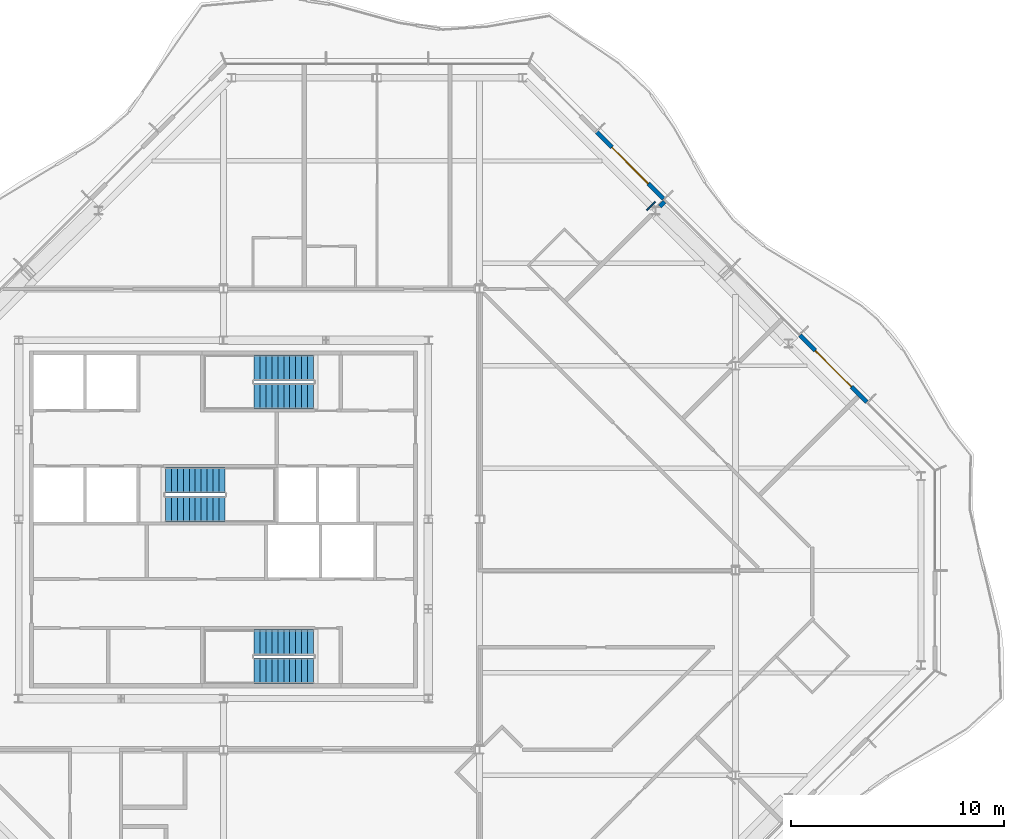
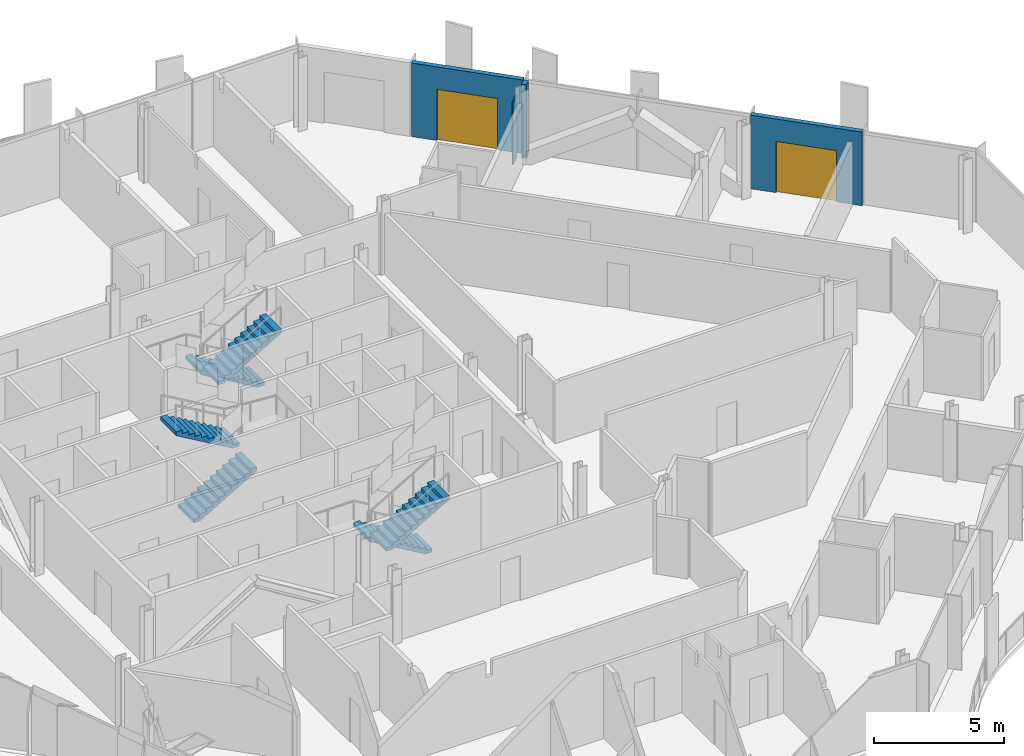
# One storey, part 12 of 17: 6 stair flights, 4 walls, 2 doors, 2 openings, 3 elements without a shape of their own.
"""IFC4 building model written with IfcOpenShell, lengths in metres."""

import ifcopenshell
import ifcopenshell.guid

model = None  # the IFC model being written
_history = None  # IfcOwnerHistory: only IFC2X3 demands one
_inside = {}  # id of a spatial element -> (the spatial element, [elements in it])
_under = {}  # id of a project, library or spatial element -> (it, [spatial elements below it])
_declared = {}  # id of a project -> (the project, [libraries it declares])
_typed = {}  # id of a type object -> (the type object, [elements of that type])
_made_of = {}  # id of a material, layer set ... -> (it, [elements and type objects made of it])


def new_model(schema):
    """Start an empty IFC model of exactly this schema.

    Asked for "IFC4X3", IfcOpenShell would pick the latest addendum, in which some entities
    have other attributes; the version numbers below select the first issue.
    IFC2X3 requires an IfcOwnerHistory on every rooted entity: one is made here for all.
    """
    global model, _history
    if schema == "IFC4X3":
        model = ifcopenshell.file(schema_version=(4, 3, 0, 0))
    else:
        model = ifcopenshell.file(schema=schema)
    _inside.clear()
    _under.clear()
    _declared.clear()
    _typed.clear()
    _made_of.clear()
    _history = None
    if model.schema == "IFC2X3":
        org = make("IfcOrganization", Name="unknown")
        user = make(
            "IfcPersonAndOrganization",
            ThePerson=make("IfcPerson", FamilyName="unknown"),
            TheOrganization=org,
        )
        app = make(
            "IfcApplication",
            ApplicationDeveloper=org,
            Version="unknown",
            ApplicationFullName="unknown",
            ApplicationIdentifier="unknown",
        )
        _history = make(
            "IfcOwnerHistory",
            OwningUser=user,
            OwningApplication=app,
            ChangeAction="ADDED",
            CreationDate=0,
        )
    return model


def make(cls, **values):
    """One entity of the class cls with the attributes given. An attribute that is None is left unset."""
    return model.create_entity(
        cls, **{name: value for name, value in values.items() if value is not None}
    )


def rooted(cls, **values):
    """An entity with a GlobalId (a new one), such as an element, a storey or a relation."""
    return make(cls, GlobalId=ifcopenshell.guid.new(), OwnerHistory=_history, **values)


def si_unit(unit_type, name, prefix=None):
    """IfcSIUnit, for example si_unit("LENGTHUNIT", "METRE", prefix="MILLI")."""
    return make("IfcSIUnit", UnitType=unit_type, Prefix=prefix, Name=name)


def assignment(units):
    """IfcUnitAssignment: the units of a project."""
    return None if units is None else make("IfcUnitAssignment", Units=units)


def point(xyz):
    """IfcCartesianPoint."""
    return None if xyz is None else make("IfcCartesianPoint", Coordinates=xyz)


def direction(xyz):
    """IfcDirection."""
    return None if xyz is None else make("IfcDirection", DirectionRatios=xyz)


def frame(location, z_axis=None, x_axis=None):
    """IfcAxis2Placement3D, a coordinate frame: its origin and axes. An axis left out is left unset."""
    return make(
        "IfcAxis2Placement3D",
        Location=point(location),
        Axis=direction(z_axis),
        RefDirection=direction(x_axis),
    )


def frame_2d(location, x_axis=None):
    """IfcAxis2Placement2D, a coordinate frame in the plane: its origin and x axis."""
    return make(
        "IfcAxis2Placement2D", Location=point(location), RefDirection=direction(x_axis)
    )


def origin():
    """The frame at (0, 0, 0) with its axes left unset."""
    return frame((0.0, 0.0, 0.0))


def place(relative_to, where):
    """IfcLocalPlacement: puts the frame where relative to a parent placement (None: the world)."""
    return make(
        "IfcLocalPlacement", PlacementRelTo=relative_to, RelativePlacement=where
    )


def context(
    kind, dimensions, precision=None, world=None, true_north=None, identifier=None
):
    """IfcGeometricRepresentationContext, for example the 3D "Model" context."""
    return make(
        "IfcGeometricRepresentationContext",
        ContextIdentifier=identifier,
        ContextType=kind,
        CoordinateSpaceDimension=dimensions,
        Precision=precision,
        WorldCoordinateSystem=world,
        TrueNorth=true_north,
    )


def subcontext(parent, identifier, kind, view, scale=None):
    """IfcGeometricRepresentationSubContext, for example "Body" below "Model"."""
    return make(
        "IfcGeometricRepresentationSubContext",
        ContextIdentifier=identifier,
        ContextType=kind,
        ParentContext=parent,
        TargetScale=scale,
        TargetView=view,
    )


def project(units=None, contexts=None):
    """IfcProject with its units and contexts."""
    return rooted(
        "IfcProject",
        Name="project",
        RepresentationContexts=contexts,
        UnitsInContext=assignment(units),
    )


def spatial(cls, under=None, at=None, **own):
    """A site, building, storey or space (cls), placed at a placement, below another one or the project."""
    s = rooted(cls, ObjectPlacement=at, **own)
    if under is not None:
        _under.setdefault(under.id(), (under, []))[1].append(s)
    return s


def polyline(points):
    """IfcPolyline through the points."""
    return make("IfcPolyline", Points=[point(p) for p in points])


def profile(cls, at=None, kind="AREA", **sizes):
    """A parametric profile (cls). Its sizes go by their IFC names, for example OverallWidth=200.0."""
    return make(cls, ProfileType=kind, Position=at, **sizes)


def rectangle(**sizes):
    """IfcRectangleProfileDef."""
    return profile("IfcRectangleProfileDef", **sizes)


def outline(outer, holes=None, kind="AREA"):
    """IfcArbitraryClosedProfileDef: a profile drawn as a closed curve; with holes, ...WithVoids."""
    if holes is None:
        return make("IfcArbitraryClosedProfileDef", ProfileType=kind, OuterCurve=outer)
    return make(
        "IfcArbitraryProfileDefWithVoids",
        ProfileType=kind,
        OuterCurve=outer,
        InnerCurves=holes,
    )


def extrude(swept, where, along, depth):
    """IfcExtrudedAreaSolid: the profile swept, set in the frame where, extruded along a direction by depth."""
    return make(
        "IfcExtrudedAreaSolid",
        SweptArea=swept,
        Position=where,
        ExtrudedDirection=direction(along),
        Depth=depth,
    )


def shape(context_of_items, identifier, shape_type, items):
    """IfcShapeRepresentation: the items that make up one representation, for example the "Body"."""
    return make(
        "IfcShapeRepresentation",
        ContextOfItems=context_of_items,
        RepresentationIdentifier=identifier,
        RepresentationType=shape_type,
        Items=items,
    )


def material(Name=None, Category=None):
    """IfcMaterial."""
    return make("IfcMaterial", Name=Name, Category=Category)


def layer(
    of_material, thickness, ventilated=None, Name=None, Category=None, Priority=None
):
    """IfcMaterialLayer: one layer of a wall or slab, of a material (None: an air gap)."""
    return make(
        "IfcMaterialLayer",
        Material=of_material,
        LayerThickness=thickness,
        IsVentilated=ventilated,
        Name=Name,
        Category=Category,
        Priority=Priority,
    )


def layer_set(layers, Name=None):
    """IfcMaterialLayerSet."""
    return make("IfcMaterialLayerSet", MaterialLayers=layers, LayerSetName=Name)


def made_of(thing, what):
    """Note that an element or type object is made of a material, layer set ...; save() writes the relation."""
    if what is not None:
        _made_of.setdefault(what.id(), (what, []))[1].append(thing)
    return thing


def type_object(cls, material=None, **own):
    """A type object (cls), such as IfcWallType, which elements share."""
    return made_of(rooted(cls, **own), material)


def element(
    cls,
    number,
    at=None,
    inside=None,
    cuts=None,
    type_object=None,
    material=None,
    context=None,
    identifier="Body",
    shape_type=None,
    held_by="IfcProductDefinitionShape",
    body=None,
    shapes=None,
    **own,
):
    """One element of the class cls, such as IfcWall. Its Tag is "e" and its number.

    at: its placement. inside: the storey or other place that contains it. cuts: it is an
    opening in that element (IfcRelVoidsElement). A single representation is given by context,
    identifier, shape_type and body (its items); several are given by shapes. held_by: the class
    of the entity that holds the representations. save() writes the other relations.
    """
    e = rooted(cls, Tag="e%d" % number, ObjectPlacement=at, **own)
    if body is not None:
        shapes = [shape(context, identifier, shape_type, body)]
    if shapes is not None:
        e.Representation = make(held_by, Representations=shapes)
    if inside is not None:
        _inside.setdefault(inside.id(), (inside, []))[1].append(e)
    if cuts is not None:
        rooted(
            "IfcRelVoidsElement", RelatingBuildingElement=cuts, RelatedOpeningElement=e
        )
    if type_object is not None:
        _typed.setdefault(type_object.id(), (type_object, []))[1].append(e)
    return made_of(e, material)


def fill(opening, filler):
    """IfcRelFillsElement: the door or window that sits in an opening."""
    return rooted(
        "IfcRelFillsElement",
        RelatingOpeningElement=opening,
        RelatedBuildingElement=filler,
    )


def aggregate(whole, parts):
    """IfcRelAggregates: a whole, such as a stair, and the parts it consists of."""
    return rooted("IfcRelAggregates", RelatingObject=whole, RelatedObjects=parts)


def save(model, path):
    """Write the relations noted so far, then the file.

    IfcRelAggregates (storeys below a building ...), IfcRelContainedInSpatialStructure (elements
    in a storey), IfcRelDefinesByType, IfcRelAssociatesMaterial and IfcRelDeclares: one each for
    every whole, place, type object, material and project.
    """
    for whole, parts in _under.values():
        aggregate(whole, parts)
    for where, things in _inside.values():
        rooted(
            "IfcRelContainedInSpatialStructure",
            RelatedElements=things,
            RelatingStructure=where,
        )
    for kind, things in _typed.values():
        rooted("IfcRelDefinesByType", RelatedObjects=things, RelatingType=kind)
    for what, things in _made_of.values():
        rooted("IfcRelAssociatesMaterial", RelatedObjects=things, RelatingMaterial=what)
    for by, libraries in _declared.values():
        rooted("IfcRelDeclares", RelatingContext=by, RelatedDefinitions=libraries)
    model.write(path)


model = new_model("IFC4")

# Units and contexts
model_context = context("Model", 3, precision=1e-05, world=origin(), true_north=direction((0.0, 1.0)))
body_context = subcontext(model_context, "Body", "Model", "MODEL_VIEW")
ifc_project = project(units=[si_unit("LENGTHUNIT", "METRE"), si_unit("AREAUNIT", "SQUARE_METRE"), si_unit("VOLUMEUNIT", "CUBIC_METRE"), si_unit("PLANEANGLEUNIT", "RADIAN"), si_unit("MASSUNIT", "GRAM", prefix="KILO")], contexts=[model_context])

# Site, building, storey
site_placement = place(None, origin())
site = spatial("IfcSite", under=ifc_project, at=site_placement, CompositionType="ELEMENT")
building_placement = place(site_placement, origin())
building = spatial("IfcBuilding", under=site, at=building_placement, Name="Cairn Pilgrim Tower", CompositionType="ELEMENT")
storey_placement = place(building_placement, frame((0.0, 0.0, 270.60009765625)))
storey = spatial("IfcBuildingStorey", under=building, at=storey_placement, Name="L69", CompositionType="ELEMENT", Elevation=270.60009765625)

# Wall, opening, door
ifc_material_1 = material(Name="Bronze anodised aluminium insulated sandwich panel with mineral wool fill", Category="aluminium")
ifc_layer_1 = layer(ifc_material_1, 0.199951171875)
ifc_layer_set_1 = layer_set([ifc_layer_1], Name="BRONZE INFILL FRAME WALL 200")
wall_type_1 = type_object("IfcWallType", Name="BRONZE INFILL FRAME WALL 200", PredefinedType="NOTDEFINED", material=ifc_layer_set_1)
wall_1_placement = place(storey_placement, frame((37.353271484375, 7.893310546875, 0.0), z_axis=(0.0, 0.0, 1.0), x_axis=(-0.707134329907, 0.707079231393, 0.0)))
wall_1 = element("IfcWall", 1, at=wall_1_placement, inside=storey, type_object=wall_type_1, Name="Bronze infill frame wall IW-NE2", PredefinedType="NOTDEFINED", context=body_context, shape_type="SweptSolid", body=[
    extrude(rectangle(XDim=4.430908203125, YDim=0.199951171875, at=frame_2d((2.21533203125, 0.0))), origin(), (0.0, 0.0, 1.0), 3.449951171875),
])
opening_1_placement = place(wall_1_placement, frame((1.015625, 0.0, 0.0)))
opening_1 = element("IfcOpeningElement", 2, at=opening_1_placement, cuts=wall_1, Name="Opening 6904B", PredefinedType="OPENING", context=body_context, shape_type="SweptSolid", body=[
    extrude(rectangle(XDim=2.39990234375, YDim=2.39990234375, at=frame_2d((1.199951171875, 1.199951171875))), frame((0.0, 0.10986328125, 0.0), z_axis=(0.0, -1.0, 0.0), x_axis=(1.0, 0.0, 0.0)), (0.0, 0.0, 1.0), 0.219970703125),
])
ifc_material_2 = material(Name="Bronze anodised aluminium frame with tinted low-E glass", Category="aluminium")
door_type = type_object("IfcDoorType", Name="BALCONY SLIDING DOOR 2400x2400", OperationType="DOUBLE_DOOR_SLIDING", PredefinedType="DOOR", material=ifc_material_2)
door_1_placement = place(opening_1_placement, origin())
door_1 = element("IfcDoor", 3, at=door_1_placement, inside=storey, type_object=door_type, Name="Balcony sliding door 6904B", OperationType="SINGLE_SWING_LEFT", OverallHeight=2.39990234375, OverallWidth=2.39990234375, PredefinedType="DOOR", context=body_context, shape_type="SweptSolid", body=[
    extrude(rectangle(XDim=2.39990234375, YDim=2.39990234375, at=frame_2d((1.199951171875, 1.199951171875))), frame((0.0, 0.02490234375, 0.0), z_axis=(0.0, -1.0, 0.0), x_axis=(1.0, 0.0, 0.0)), (0.0, 0.0, 1.0), 0.050048828125),
])
fill(opening_1, door_1)

wall_2_placement = place(storey_placement, frame((27.826416015625, 17.419921875, 0.0), z_axis=(0.0, 0.0, 1.0), x_axis=(-0.707079231393, 0.707134329907, 0.0)))
wall_2 = element("IfcWall", 4, at=wall_2_placement, inside=storey, type_object=wall_type_1, Name="Bronze infill frame wall IW-NE5", PredefinedType="NOTDEFINED", context=body_context, shape_type="SweptSolid", body=[
    extrude(rectangle(XDim=4.430908203125, YDim=0.199951171875, at=frame_2d((2.21533203125, 0.0))), origin(), (0.0, 0.0, 1.0), 3.449951171875),
])
opening_2_placement = place(wall_2_placement, frame((1.01513671875, 0.0, 0.0)))
opening_2 = element("IfcOpeningElement", 5, at=opening_2_placement, cuts=wall_2, Name="Opening 6906B", PredefinedType="OPENING", context=body_context, shape_type="SweptSolid", body=[
    extrude(rectangle(XDim=2.39990234375, YDim=2.39990234375, at=frame_2d((1.199951171875, 1.199951171875))), frame((0.0, 0.10986328125, 0.0), z_axis=(0.0, -1.0, 0.0), x_axis=(1.0, 0.0, 0.0)), (0.0, 0.0, 1.0), 0.219970703125),
])
door_2_placement = place(opening_2_placement, origin())
door_2 = element("IfcDoor", 6, at=door_2_placement, inside=storey, type_object=door_type, Name="Balcony sliding door 6906B", OperationType="SINGLE_SWING_LEFT", OverallHeight=2.39990234375, OverallWidth=2.39990234375, PredefinedType="DOOR", context=body_context, shape_type="SweptSolid", body=[
    extrude(rectangle(XDim=2.39990234375, YDim=2.39990234375, at=frame_2d((1.199951171875, 1.199951171875))), frame((0.0, 0.02490234375, 0.0), z_axis=(0.0, -1.0, 0.0), x_axis=(1.0, 0.0, 0.0)), (0.0, 0.0, 1.0), 0.050048828125),
])
fill(opening_2, door_2)

# Walls
ifc_material_3 = material(Name="Gypsum partition")
ifc_layer_2 = layer(ifc_material_3, 0.050048828125)
ifc_layer_set_2 = layer_set([ifc_layer_2], Name="PARTITION 50 DRYWALL EI 60")
wall_type_2 = type_object("IfcWallType", Name="PARTITION 50 DRYWALL EI 60", PredefinedType="PARTITIONING", material=ifc_layer_set_2)
wall_3_placement = place(storey_placement, frame((27.037841796875, 16.893310546875, 0.0), z_axis=(0.0, 0.0, 1.0), x_axis=(0.707106781187, 0.707106781187, 0.0)))
element("IfcWall", 7, at=wall_3_placement, inside=storey, type_object=wall_type_2, Name="COLUMN CASING WC18", PredefinedType="PARTITIONING", context=body_context, shape_type="SweptSolid", body=[
    extrude(rectangle(XDim=0.56005859375, YDim=0.050048828125, at=frame_2d((0.280029296875, 0.0))), origin(), (0.0, 0.0, 1.0), 2.929931640625),
])
ifc_layer_3 = layer(ifc_material_3, 0.199951171875)
ifc_layer_set_3 = layer_set([ifc_layer_3], Name="SHAFT WALL 200 GYPSUM EI 60")
wall_type_3 = type_object("IfcWallType", Name="SHAFT WALL 200 GYPSUM EI 60", PredefinedType="PARTITIONING", material=ifc_layer_set_3)
wall_4_placement = place(storey_placement, frame((27.649658203125, 17.073486328125, 0.0), z_axis=(0.0, 0.0, 1.0), x_axis=(0.707106781187, 0.707106781187, 0.0)))
element("IfcWall", 8, at=wall_4_placement, inside=storey, type_object=wall_type_3, Name="PARTITION W074", PredefinedType="PARTITIONING", context=body_context, shape_type="SweptSolid", body=[
    extrude(rectangle(XDim=0.31005859375, YDim=0.199951171875, at=frame_2d((0.155029296875, 0.0))), origin(), (0.0, 0.0, 1.0), 3.449951171875),
])

# Stair, stair flights
ifc_material_4 = material(Name="Concrete C32/40", Category="concrete")
stair_type = type_object("IfcStairType", Name="EXIT STAIR 1200", PredefinedType="HALF_TURN_STAIR", material=ifc_material_4)
stair_1_placement = place(storey_placement, origin())
stair_1 = element("IfcStair", 9, at=stair_1_placement, inside=storey, type_object=stair_type, Name="L69 Exit Stair A", PredefinedType="HALF_TURN_STAIR")
stair_flight_type = type_object("IfcStairFlightType", Name="STAIR FLIGHT 1200", PredefinedType="STRAIGHT", material=ifc_material_4)
stair_flight_1_placement = place(storey_placement, frame((11.425048828125, -3.375, 0.0), z_axis=(0.0, 0.0, 1.0), x_axis=(-1.0, 0.0, 0.0)))
stair_flight_1 = element("IfcStairFlight", 10, at=stair_flight_1_placement, type_object=stair_flight_type, Name="ST-A flight 1", NumberOfRisers=11, NumberOfTreads=10, PredefinedType="STRAIGHT", RiserHeight=0.163636364, TreadLength=0.28, context=body_context, shape_type="SweptSolid", body=[
    extrude(outline(polyline([(0.0, 0.0), (0.0, 0.16357421875), (0.280029296875, 0.16357421875), (0.280029296875, 0.327392578125), (0.56005859375, 0.327392578125), (0.56005859375, 0.490966796875), (0.840087890625, 0.490966796875), (0.840087890625, 0.654541015625), (1.1201171875, 0.654541015625), (1.1201171875, 0.818115234375), (1.39990234375, 0.818115234375), (1.39990234375, 0.98193359375), (1.679931640625, 0.98193359375), (1.679931640625, 1.1455078125), (1.9599609375, 1.1455078125), (1.9599609375, 1.30908203125), (2.239990234375, 1.30908203125), (2.239990234375, 1.47265625), (2.52001953125, 1.47265625), (2.52001953125, 1.636474609375), (2.800048828125, 1.636474609375), (2.800048828125, 1.800048828125), (2.800048828125, 1.462646484375), (0.297119140625, 0.0), (0.0, 0.0)])), frame((0.0, 0.60009765625, 0.0), z_axis=(0.0, -1.0, 0.0), x_axis=(1.0, 0.0, 0.0)), (0.0, 0.0, 1.0), 1.199951171875),
])
stair_flight_2_placement = place(storey_placement, frame((8.625, -4.699951171875, 1.7998046875), z_axis=(0.0, 0.0, 1.0), x_axis=(1.0, 0.0, 0.0)))
stair_flight_2 = element("IfcStairFlight", 11, at=stair_flight_2_placement, type_object=stair_flight_type, Name="ST-A flight 2", NumberOfRisers=11, NumberOfTreads=10, PredefinedType="STRAIGHT", RiserHeight=0.163636364, TreadLength=0.28, context=body_context, shape_type="SweptSolid", body=[
    extrude(outline(polyline([(0.0, 0.0), (0.0, 0.16357421875), (0.280029296875, 0.16357421875), (0.280029296875, 0.327392578125), (0.56005859375, 0.327392578125), (0.56005859375, 0.490966796875), (0.840087890625, 0.490966796875), (0.840087890625, 0.654541015625), (1.1201171875, 0.654541015625), (1.1201171875, 0.818115234375), (1.39990234375, 0.818115234375), (1.39990234375, 0.98193359375), (1.679931640625, 0.98193359375), (1.679931640625, 1.1455078125), (1.9599609375, 1.1455078125), (1.9599609375, 1.30908203125), (2.239990234375, 1.30908203125), (2.239990234375, 1.47265625), (2.52001953125, 1.47265625), (2.52001953125, 1.636474609375), (2.800048828125, 1.636474609375), (2.800048828125, 1.800048828125), (2.800048828125, 1.462646484375), (0.297119140625, 0.0), (0.0, 0.0)])), frame((0.0, 0.60009765625, 0.0), z_axis=(0.0, -1.0, 0.0), x_axis=(1.0, 0.0, 0.0)), (0.0, 0.0, 1.0), 1.199951171875),
])
aggregate(stair_1, [stair_flight_1, stair_flight_2])

stair_2_placement = place(storey_placement, origin())
stair_2 = element("IfcStair", 12, at=stair_2_placement, inside=storey, type_object=stair_type, Name="L69 Exit Stair B", PredefinedType="HALF_TURN_STAIR")
stair_flight_3_placement = place(storey_placement, frame((4.47509765625, 2.875, 0.0), z_axis=(0.0, 0.0, 1.0), x_axis=(1.0, 0.0, 0.0)))
stair_flight_3 = element("IfcStairFlight", 13, at=stair_flight_3_placement, type_object=stair_flight_type, Name="ST-B flight 1", NumberOfRisers=11, NumberOfTreads=10, PredefinedType="STRAIGHT", RiserHeight=0.163636364, TreadLength=0.28, context=body_context, shape_type="SweptSolid", body=[
    extrude(outline(polyline([(0.0, 0.0), (0.0, 0.16357421875), (0.280029296875, 0.16357421875), (0.280029296875, 0.327392578125), (0.56005859375, 0.327392578125), (0.56005859375, 0.490966796875), (0.840087890625, 0.490966796875), (0.840087890625, 0.654541015625), (1.1201171875, 0.654541015625), (1.1201171875, 0.818115234375), (1.39990234375, 0.818115234375), (1.39990234375, 0.98193359375), (1.679931640625, 0.98193359375), (1.679931640625, 1.1455078125), (1.9599609375, 1.1455078125), (1.9599609375, 1.30908203125), (2.239990234375, 1.30908203125), (2.239990234375, 1.47265625), (2.52001953125, 1.47265625), (2.52001953125, 1.636474609375), (2.800048828125, 1.636474609375), (2.800048828125, 1.800048828125), (2.800048828125, 1.462646484375), (0.297119140625, 0.0), (0.0, 0.0)])), frame((0.0, 0.60009765625, 0.0), z_axis=(0.0, -1.0, 0.0), x_axis=(1.0, 0.0, 0.0)), (0.0, 0.0, 1.0), 1.199951171875),
])
stair_flight_4_placement = place(storey_placement, frame((7.27490234375, 4.22509765625, 1.7998046875), z_axis=(0.0, 0.0, 1.0), x_axis=(-1.0, 0.0, 0.0)))
stair_flight_4 = element("IfcStairFlight", 14, at=stair_flight_4_placement, type_object=stair_flight_type, Name="ST-B flight 2", NumberOfRisers=11, NumberOfTreads=10, PredefinedType="STRAIGHT", RiserHeight=0.163636364, TreadLength=0.28, context=body_context, shape_type="SweptSolid", body=[
    extrude(outline(polyline([(0.0, 0.0), (0.0, 0.16357421875), (0.280029296875, 0.16357421875), (0.280029296875, 0.327392578125), (0.56005859375, 0.327392578125), (0.56005859375, 0.490966796875), (0.840087890625, 0.490966796875), (0.840087890625, 0.654541015625), (1.1201171875, 0.654541015625), (1.1201171875, 0.818115234375), (1.39990234375, 0.818115234375), (1.39990234375, 0.98193359375), (1.679931640625, 0.98193359375), (1.679931640625, 1.1455078125), (1.9599609375, 1.1455078125), (1.9599609375, 1.30908203125), (2.239990234375, 1.30908203125), (2.239990234375, 1.47265625), (2.52001953125, 1.47265625), (2.52001953125, 1.636474609375), (2.800048828125, 1.636474609375), (2.800048828125, 1.800048828125), (2.800048828125, 1.462646484375), (0.297119140625, 0.0), (0.0, 0.0)])), frame((0.0, 0.60009765625, 0.0), z_axis=(0.0, -1.0, 0.0), x_axis=(1.0, 0.0, 0.0)), (0.0, 0.0, 1.0), 1.199951171875),
])
aggregate(stair_2, [stair_flight_3, stair_flight_4])

stair_3_placement = place(storey_placement, origin())
stair_3 = element("IfcStair", 15, at=stair_3_placement, inside=storey, type_object=stair_type, Name="L69 Exit Stair C", PredefinedType="HALF_TURN_STAIR")
stair_flight_5_placement = place(storey_placement, frame((11.425048828125, 9.5, 0.0), z_axis=(0.0, 0.0, 1.0), x_axis=(-1.0, 0.0, 0.0)))
stair_flight_5 = element("IfcStairFlight", 16, at=stair_flight_5_placement, type_object=stair_flight_type, Name="ST-C flight 1", NumberOfRisers=11, NumberOfTreads=10, PredefinedType="STRAIGHT", RiserHeight=0.163636364, TreadLength=0.28, context=body_context, shape_type="SweptSolid", body=[
    extrude(outline(polyline([(0.0, 0.0), (0.0, 0.16357421875), (0.280029296875, 0.16357421875), (0.280029296875, 0.327392578125), (0.56005859375, 0.327392578125), (0.56005859375, 0.490966796875), (0.840087890625, 0.490966796875), (0.840087890625, 0.654541015625), (1.1201171875, 0.654541015625), (1.1201171875, 0.818115234375), (1.39990234375, 0.818115234375), (1.39990234375, 0.98193359375), (1.679931640625, 0.98193359375), (1.679931640625, 1.1455078125), (1.9599609375, 1.1455078125), (1.9599609375, 1.30908203125), (2.239990234375, 1.30908203125), (2.239990234375, 1.47265625), (2.52001953125, 1.47265625), (2.52001953125, 1.636474609375), (2.800048828125, 1.636474609375), (2.800048828125, 1.800048828125), (2.800048828125, 1.462646484375), (0.297119140625, 0.0), (0.0, 0.0)])), frame((0.0, 0.60009765625, 0.0), z_axis=(0.0, -1.0, 0.0), x_axis=(1.0, 0.0, 0.0)), (0.0, 0.0, 1.0), 1.199951171875),
])
stair_flight_6_placement = place(storey_placement, frame((8.625, 8.175048828125, 1.7998046875), z_axis=(0.0, 0.0, 1.0), x_axis=(1.0, 0.0, 0.0)))
stair_flight_6 = element("IfcStairFlight", 17, at=stair_flight_6_placement, type_object=stair_flight_type, Name="ST-C flight 2", NumberOfRisers=11, NumberOfTreads=10, PredefinedType="STRAIGHT", RiserHeight=0.163636364, TreadLength=0.28, context=body_context, shape_type="SweptSolid", body=[
    extrude(outline(polyline([(0.0, 0.0), (0.0, 0.16357421875), (0.280029296875, 0.16357421875), (0.280029296875, 0.327392578125), (0.56005859375, 0.327392578125), (0.56005859375, 0.490966796875), (0.840087890625, 0.490966796875), (0.840087890625, 0.654541015625), (1.1201171875, 0.654541015625), (1.1201171875, 0.818115234375), (1.39990234375, 0.818115234375), (1.39990234375, 0.98193359375), (1.679931640625, 0.98193359375), (1.679931640625, 1.1455078125), (1.9599609375, 1.1455078125), (1.9599609375, 1.30908203125), (2.239990234375, 1.30908203125), (2.239990234375, 1.47265625), (2.52001953125, 1.47265625), (2.52001953125, 1.636474609375), (2.800048828125, 1.636474609375), (2.800048828125, 1.800048828125), (2.800048828125, 1.462646484375), (0.297119140625, 0.0), (0.0, 0.0)])), frame((0.0, 0.60009765625, 0.0), z_axis=(0.0, -1.0, 0.0), x_axis=(1.0, 0.0, 0.0)), (0.0, 0.0, 1.0), 1.199951171875),
])
aggregate(stair_3, [stair_flight_5, stair_flight_6])

save(model, "model.ifc")
